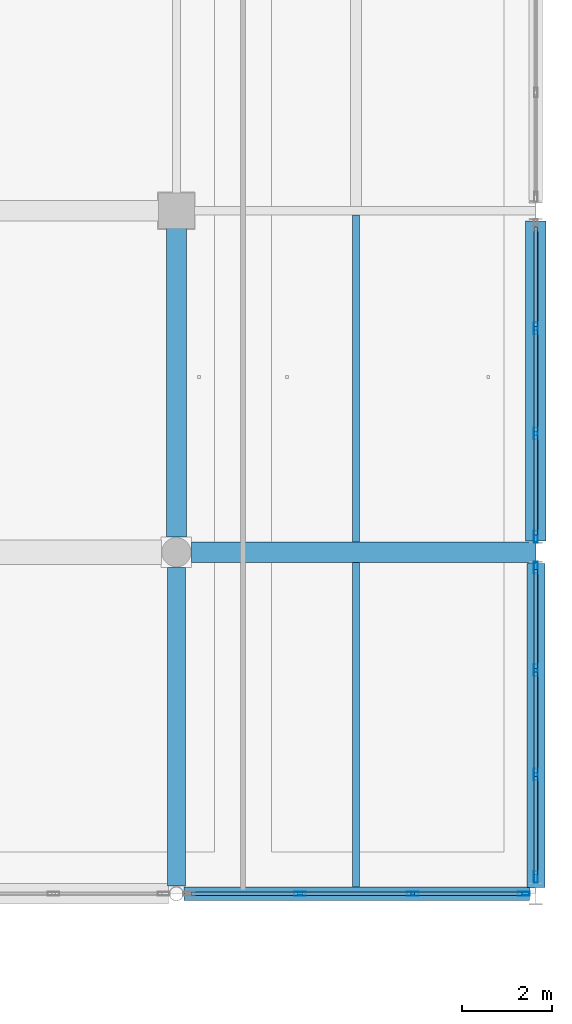
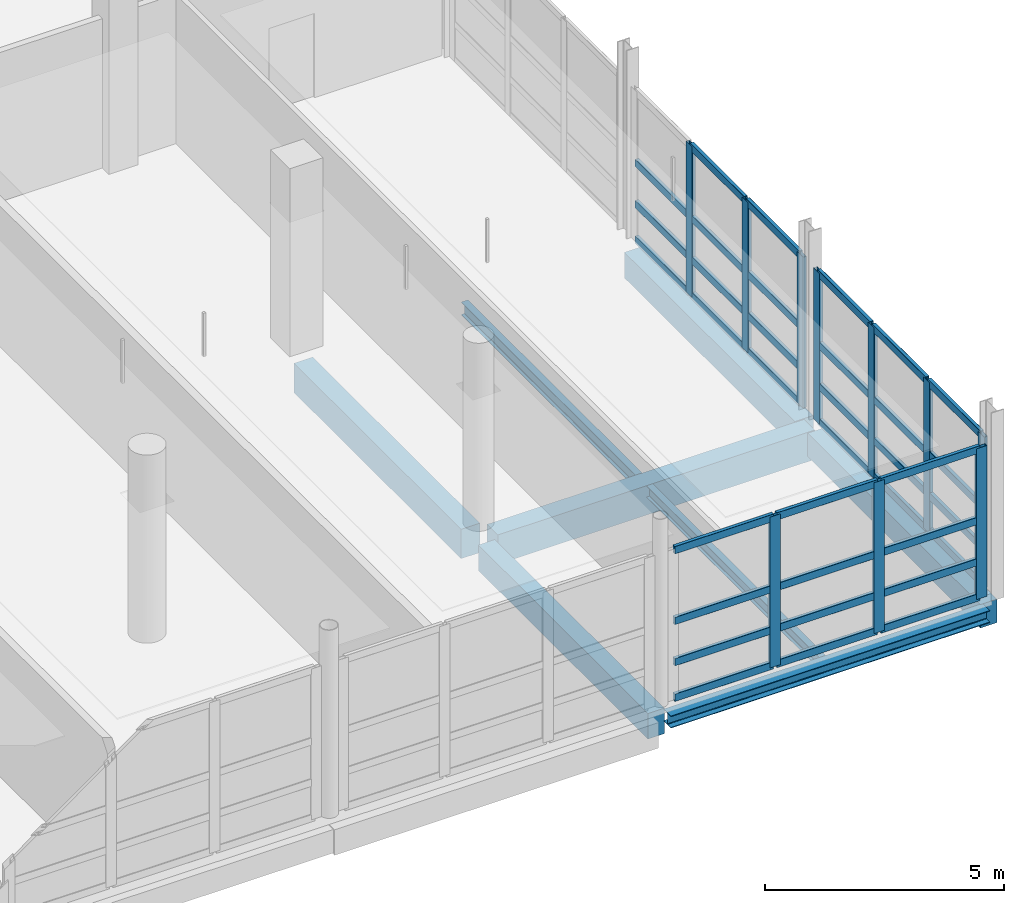
# One storey, part 46 of 147: 45 members, 8 beams, 3 elements without a shape of their own.
"""IFC4 building model written with IfcOpenShell, lengths in metres."""

from ifc_helpers import new_model, si_unit, direction, frame, origin, origin_2d, place, context, subcontext, project, spatial, rectangle, hollow_rectangle, i_section, extrude, material, material_profile, profile_set, type_object, element, aggregate, save


model = new_model("IFC4")

# Units and contexts
model_context = context("Model", 3, precision=1e-05, world=origin(), true_north=direction((0.0, 1.0)))
body_context = subcontext(model_context, "Body", "Model", "MODEL_VIEW")
ifc_project = project(units=[si_unit("LENGTHUNIT", "METRE"), si_unit("AREAUNIT", "SQUARE_METRE"), si_unit("VOLUMEUNIT", "CUBIC_METRE"), si_unit("PLANEANGLEUNIT", "RADIAN"), si_unit("MASSUNIT", "GRAM", prefix="KILO")], contexts=[model_context])

# Site, building, storey
site_placement = place(None, origin())
site = spatial("IfcSite", under=ifc_project, at=site_placement, CompositionType="ELEMENT")
building_placement = place(site_placement, origin())
building = spatial("IfcBuilding", under=site, at=building_placement, Name="Khelvaren Railside Concert Hall", CompositionType="ELEMENT")
storey_placement = place(building_placement, frame((0.0, 0.0, 5.39990234375)))
storey = spatial("IfcBuildingStorey", under=building, at=storey_placement, Name="L01", CompositionType="ELEMENT", Elevation=5.39990234375)

# Beams
ifc_material_1 = material(Name="Concrete C40/50", Category="concrete")
ifc_material_profile_1 = material_profile(ifc_material_1, rectangle(XDim=0.39990234375, YDim=0.64990234375, at=origin_2d()), Name="RCB 400x650")
ifc_profile_set_1 = profile_set([ifc_material_profile_1], Name="Concrete C40/50")
beam_type_1 = type_object("IfcBeamType", Name="BM33", PredefinedType="BEAM", material=ifc_profile_set_1)
beam_1_placement = place(storey_placement, frame((176.0, 0.170654296875, -0.625), z_axis=(0.0, 1.0, 0.0), x_axis=(-1.0, 0.0, 0.0)))
element("IfcBeam", 1, at=beam_1_placement, inside=storey, type_object=beam_type_1, Name="V2 L01 Beam Y5.1", PredefinedType="BEAM", context=body_context, shape_type="SweptSolid", body=[
    extrude(rectangle(XDim=0.39990234375, YDim=0.64990234375, at=origin_2d()), origin(), (0.0, 0.0, 1.0), 7.09326171875),
])
ifc_material_profile_2 = material_profile(ifc_material_1, rectangle(XDim=0.449951171875, YDim=0.75, at=origin_2d()), Name="RCB 450x750")
ifc_profile_set_2 = profile_set([ifc_material_profile_2], Name="Concrete C40/50")
beam_type_2 = type_object("IfcBeamType", Name="BM83", PredefinedType="BEAM", material=ifc_profile_set_2)
beam_2_placement = place(storey_placement, frame((176.3359375, 7.60009765625, -0.6748046875), z_axis=(1.0, 0.0, 0.0), x_axis=(0.0, 1.0, 0.0)))
element("IfcBeam", 2, at=beam_2_placement, inside=storey, type_object=beam_type_2, Name="V2 L01 Beam X2.5", PredefinedType="BEAM", context=body_context, shape_type="SweptSolid", body=[
    extrude(rectangle(XDim=0.449951171875, YDim=0.75, at=origin_2d()), origin(), (0.0, 0.0, 1.0), 7.654052734375),
])
beam_3_placement = place(storey_placement, frame((176.0, 7.93603515625, -0.6748046875), z_axis=(0.0, 1.0, 0.0), x_axis=(-1.0, 0.0, 0.0)))
element("IfcBeam", 3, at=beam_3_placement, inside=storey, type_object=beam_type_2, Name="V2 L01 Beam Y5.2", PredefinedType="BEAM", context=body_context, shape_type="SweptSolid", body=[
    extrude(rectangle(XDim=0.449951171875, YDim=0.75, at=origin_2d()), origin(), (0.0, 0.0, 1.0), 6.990966796875),
])

# Curtain wall, members
ifc_material_2 = material(Name="Acoustic laminated crystal facade glass", Category="glass")
curtain_wall_type_1 = type_object("IfcCurtainWallType", Name="CW15", PredefinedType="USERDEFINED", material=ifc_material_2)
curtain_wall_1_placement = place(storey_placement, origin())
curtain_wall_1 = element("IfcCurtainWall", 4, at=curtain_wall_1_placement, inside=storey, type_object=curtain_wall_type_1, Name="Unitised Curtain Wall CW-V2-L01-S-176", ObjectType="UNITISED CURTAIN WALL", PredefinedType="USERDEFINED")
ifc_material_3 = material(Name="Anodised architectural aluminium 6063-T6", Category="aluminium")
ifc_material_profile_3 = material_profile(ifc_material_3, hollow_rectangle(XDim=0.0849609375, YDim=0.260009765625, WallThickness=0.0048828125, InnerFilletRadius=0.0029296875, OuterFilletRadius=0.0048828125, at=origin_2d()), Name="CWM 85x260x5")
ifc_profile_set_3 = profile_set([ifc_material_profile_3], Name="Anodised architectural aluminium 6063-T6")
member_type_1 = type_object("IfcMemberType", Name="CWM40", PredefinedType="MULLION", material=ifc_profile_set_3)
member_1_placement = place(storey_placement, frame((183.72998046875, 0.0, 0.0), z_axis=(0.0, 0.0, 1.0), x_axis=(0.0, -1.0, 0.0)))
member_1 = element("IfcMember", 5, at=member_1_placement, type_object=member_type_1, Name="CW15 mullion 1", PredefinedType="MULLION", context=body_context, shape_type="SweptSolid", body=[
    extrude(hollow_rectangle(XDim=0.0849609375, YDim=0.260009765625, WallThickness=0.0048828125, InnerFilletRadius=0.0029296875, OuterFilletRadius=0.0048828125, at=origin_2d()), origin(), (0.0, 0.0, 1.0), 3.85009765625),
])
member_2_placement = place(storey_placement, frame((181.261474609375, 0.0, 0.0), z_axis=(0.0, 0.0, 1.0), x_axis=(0.0, -1.0, 0.0)))
member_2 = element("IfcMember", 6, at=member_2_placement, type_object=member_type_1, Name="CW15 mullion 2", PredefinedType="MULLION", context=body_context, shape_type="SweptSolid", body=[
    extrude(hollow_rectangle(XDim=0.0849609375, YDim=0.260009765625, WallThickness=0.0048828125, InnerFilletRadius=0.0029296875, OuterFilletRadius=0.0048828125, at=origin_2d()), origin(), (0.0, 0.0, 1.0), 3.85009765625),
])
member_3_placement = place(storey_placement, frame((178.75048828125, 0.0, 0.0), z_axis=(0.0, 0.0, 1.0), x_axis=(0.0, -1.0, 0.0)))
member_3 = element("IfcMember", 7, at=member_3_placement, type_object=member_type_1, Name="CW15 mullion 3", PredefinedType="MULLION", context=body_context, shape_type="SweptSolid", body=[
    extrude(hollow_rectangle(XDim=0.0849609375, YDim=0.260009765625, WallThickness=0.0048828125, InnerFilletRadius=0.0029296875, OuterFilletRadius=0.0048828125, at=origin_2d()), origin(), (0.0, 0.0, 1.0), 3.85009765625),
])

curtain_wall_2_placement = place(storey_placement, origin())
curtain_wall_2 = element("IfcCurtainWall", 8, at=curtain_wall_2_placement, inside=storey, type_object=curtain_wall_type_1, Name="Unitised Curtain Wall CW-V2-L01-E-0", ObjectType="UNITISED CURTAIN WALL", PredefinedType="USERDEFINED")
member_4_placement = place(storey_placement, frame((184.0, 7.2548828125, 0.0), z_axis=(0.0, 0.0, 1.0), x_axis=(1.0, 0.0, 0.0)))
member_4 = element("IfcMember", 9, at=member_4_placement, type_object=member_type_1, Name="CW15 mullion 1", PredefinedType="MULLION", context=body_context, shape_type="SweptSolid", body=[
    extrude(hollow_rectangle(XDim=0.0849609375, YDim=0.260009765625, WallThickness=0.0048828125, InnerFilletRadius=0.0029296875, OuterFilletRadius=0.0048828125, at=origin_2d()), origin(), (0.0, 0.0, 1.0), 3.85009765625),
])
member_5_placement = place(storey_placement, frame((184.0, 4.97412109375, 0.0), z_axis=(0.0, 0.0, 1.0), x_axis=(1.0, 0.0, 0.0)))
member_5 = element("IfcMember", 10, at=member_5_placement, type_object=member_type_1, Name="CW15 mullion 2", PredefinedType="MULLION", context=body_context, shape_type="SweptSolid", body=[
    extrude(hollow_rectangle(XDim=0.0849609375, YDim=0.260009765625, WallThickness=0.0048828125, InnerFilletRadius=0.0029296875, OuterFilletRadius=0.0048828125, at=origin_2d()), origin(), (0.0, 0.0, 1.0), 3.85009765625),
])
member_6_placement = place(storey_placement, frame((184.0, 2.65087890625, 0.0), z_axis=(0.0, 0.0, 1.0), x_axis=(1.0, 0.0, 0.0)))
member_6 = element("IfcMember", 11, at=member_6_placement, type_object=member_type_1, Name="CW15 mullion 3", PredefinedType="MULLION", context=body_context, shape_type="SweptSolid", body=[
    extrude(hollow_rectangle(XDim=0.0849609375, YDim=0.260009765625, WallThickness=0.0048828125, InnerFilletRadius=0.0029296875, OuterFilletRadius=0.0048828125, at=origin_2d()), origin(), (0.0, 0.0, 1.0), 3.85009765625),
])
member_7_placement = place(storey_placement, frame((184.0, 0.3701171875, 0.0), z_axis=(0.0, 0.0, 1.0), x_axis=(1.0, 0.0, 0.0)))
member_7 = element("IfcMember", 12, at=member_7_placement, type_object=member_type_1, Name="CW15 mullion 4", PredefinedType="MULLION", context=body_context, shape_type="SweptSolid", body=[
    extrude(hollow_rectangle(XDim=0.0849609375, YDim=0.260009765625, WallThickness=0.0048828125, InnerFilletRadius=0.0029296875, OuterFilletRadius=0.0048828125, at=origin_2d()), origin(), (0.0, 0.0, 1.0), 3.85009765625),
])

curtain_wall_type_2 = type_object("IfcCurtainWallType", Name="CW54", PredefinedType="USERDEFINED", material=ifc_material_2)
curtain_wall_3_placement = place(storey_placement, origin())
curtain_wall_3 = element("IfcCurtainWall", 13, at=curtain_wall_3_placement, inside=storey, type_object=curtain_wall_type_2, Name="Unitised Curtain Wall CW-V2-L01-E-8", ObjectType="UNITISED CURTAIN WALL", PredefinedType="USERDEFINED")
member_8_placement = place(storey_placement, frame((184.0, 12.58251953125, 0.0), z_axis=(0.0, 0.0, 1.0), x_axis=(1.0, 0.0, 0.0)))
member_8 = element("IfcMember", 14, at=member_8_placement, type_object=member_type_1, Name="CW54 mullion 2", PredefinedType="MULLION", context=body_context, shape_type="SweptSolid", body=[
    extrude(hollow_rectangle(XDim=0.0849609375, YDim=0.260009765625, WallThickness=0.0048828125, InnerFilletRadius=0.0029296875, OuterFilletRadius=0.0048828125, at=origin_2d()), origin(), (0.0, 0.0, 1.0), 3.85009765625),
])
member_9_placement = place(storey_placement, frame((184.0, 10.242431640625, 0.0), z_axis=(0.0, 0.0, 1.0), x_axis=(1.0, 0.0, 0.0)))
member_9 = element("IfcMember", 15, at=member_9_placement, type_object=member_type_1, Name="CW54 mullion 3", PredefinedType="MULLION", context=body_context, shape_type="SweptSolid", body=[
    extrude(hollow_rectangle(XDim=0.0849609375, YDim=0.260009765625, WallThickness=0.0048828125, InnerFilletRadius=0.0029296875, OuterFilletRadius=0.0048828125, at=origin_2d()), origin(), (0.0, 0.0, 1.0), 3.85009765625),
])
member_10_placement = place(storey_placement, frame((184.0, 7.945068359375, 0.0), z_axis=(0.0, 0.0, 1.0), x_axis=(1.0, 0.0, 0.0)))
member_10 = element("IfcMember", 16, at=member_10_placement, type_object=member_type_1, Name="CW54 mullion 4", PredefinedType="MULLION", context=body_context, shape_type="SweptSolid", body=[
    extrude(hollow_rectangle(XDim=0.0849609375, YDim=0.260009765625, WallThickness=0.0048828125, InnerFilletRadius=0.0029296875, OuterFilletRadius=0.0048828125, at=origin_2d()), origin(), (0.0, 0.0, 1.0), 3.85009765625),
])

# Member
ifc_material_profile_4 = material_profile(ifc_material_3, hollow_rectangle(XDim=0.0849609375, YDim=0.18994140625, WallThickness=0.0048828125, InnerFilletRadius=0.0029296875, OuterFilletRadius=0.0048828125, at=origin_2d()), Name="CWT 85x190x5")
ifc_profile_set_4 = profile_set([ifc_material_profile_4], Name="Anodised architectural aluminium 6063-T6")
member_type_2 = type_object("IfcMemberType", Name="CWT31", PredefinedType="USERDEFINED", material=ifc_profile_set_4)
member_11_placement = place(storey_placement, frame((183.6875, 0.0, 0.04248046875), z_axis=(-1.0, 0.0, 0.0), x_axis=(0.0, -1.0, 0.0)))
member_11 = element("IfcMember", 17, at=member_11_placement, type_object=member_type_2, Name="CW15 transom 1.1", ObjectType="TRANSOM", PredefinedType="USERDEFINED", context=body_context, shape_type="SweptSolid", body=[
    extrude(hollow_rectangle(XDim=0.0849609375, YDim=0.18994140625, WallThickness=0.0048828125, InnerFilletRadius=0.0029296875, OuterFilletRadius=0.0048828125, at=origin_2d()), origin(), (0.0, 0.0, 1.0), 2.383544921875),
])

member_12_placement = place(storey_placement, frame((183.6875, 0.0, 0.9501953125), z_axis=(-1.0, 0.0, 0.0), x_axis=(0.0, -1.0, 0.0)))
member_12 = element("IfcMember", 18, at=member_12_placement, type_object=member_type_2, Name="CW15 transom 1.2", ObjectType="TRANSOM", PredefinedType="USERDEFINED", context=body_context, shape_type="SweptSolid", body=[
    extrude(hollow_rectangle(XDim=0.0849609375, YDim=0.18994140625, WallThickness=0.0048828125, InnerFilletRadius=0.0029296875, OuterFilletRadius=0.0048828125, at=origin_2d()), origin(), (0.0, 0.0, 1.0), 2.383544921875),
])

member_13_placement = place(storey_placement, frame((183.6875, 0.0, 2.002197265625), z_axis=(-1.0, 0.0, 0.0), x_axis=(0.0, -1.0, 0.0)))
member_13 = element("IfcMember", 19, at=member_13_placement, type_object=member_type_2, Name="CW15 transom 1.3", ObjectType="TRANSOM", PredefinedType="USERDEFINED", context=body_context, shape_type="SweptSolid", body=[
    extrude(hollow_rectangle(XDim=0.0849609375, YDim=0.18994140625, WallThickness=0.0048828125, InnerFilletRadius=0.0029296875, OuterFilletRadius=0.0048828125, at=origin_2d()), origin(), (0.0, 0.0, 1.0), 2.383544921875),
])

member_14_placement = place(storey_placement, frame((183.6875, 0.0, 3.8076171875), z_axis=(-1.0, 0.0, 0.0), x_axis=(0.0, -1.0, 0.0)))
member_14 = element("IfcMember", 20, at=member_14_placement, type_object=member_type_2, Name="CW15 transom 1.4", ObjectType="TRANSOM", PredefinedType="USERDEFINED", context=body_context, shape_type="SweptSolid", body=[
    extrude(hollow_rectangle(XDim=0.0849609375, YDim=0.18994140625, WallThickness=0.0048828125, InnerFilletRadius=0.0029296875, OuterFilletRadius=0.0048828125, at=origin_2d()), origin(), (0.0, 0.0, 1.0), 2.383544921875),
])

member_15_placement = place(storey_placement, frame((181.218994140625, 0.0, 0.04248046875), z_axis=(-1.0, 0.0, 0.0), x_axis=(0.0, -1.0, 0.0)))
member_15 = element("IfcMember", 21, at=member_15_placement, type_object=member_type_2, Name="CW15 transom 2.1", ObjectType="TRANSOM", PredefinedType="USERDEFINED", context=body_context, shape_type="SweptSolid", body=[
    extrude(hollow_rectangle(XDim=0.0849609375, YDim=0.18994140625, WallThickness=0.0048828125, InnerFilletRadius=0.0029296875, OuterFilletRadius=0.0048828125, at=origin_2d()), origin(), (0.0, 0.0, 1.0), 2.426025390625),
])

member_16_placement = place(storey_placement, frame((181.218994140625, 0.0, 0.9501953125), z_axis=(-1.0, 0.0, 0.0), x_axis=(0.0, -1.0, 0.0)))
member_16 = element("IfcMember", 22, at=member_16_placement, type_object=member_type_2, Name="CW15 transom 2.2", ObjectType="TRANSOM", PredefinedType="USERDEFINED", context=body_context, shape_type="SweptSolid", body=[
    extrude(hollow_rectangle(XDim=0.0849609375, YDim=0.18994140625, WallThickness=0.0048828125, InnerFilletRadius=0.0029296875, OuterFilletRadius=0.0048828125, at=origin_2d()), origin(), (0.0, 0.0, 1.0), 2.426025390625),
])

member_17_placement = place(storey_placement, frame((181.218994140625, 0.0, 2.002197265625), z_axis=(-1.0, 0.0, 0.0), x_axis=(0.0, -1.0, 0.0)))
member_17 = element("IfcMember", 23, at=member_17_placement, type_object=member_type_2, Name="CW15 transom 2.3", ObjectType="TRANSOM", PredefinedType="USERDEFINED", context=body_context, shape_type="SweptSolid", body=[
    extrude(hollow_rectangle(XDim=0.0849609375, YDim=0.18994140625, WallThickness=0.0048828125, InnerFilletRadius=0.0029296875, OuterFilletRadius=0.0048828125, at=origin_2d()), origin(), (0.0, 0.0, 1.0), 2.426025390625),
])

member_18_placement = place(storey_placement, frame((181.218994140625, 0.0, 3.8076171875), z_axis=(-1.0, 0.0, 0.0), x_axis=(0.0, -1.0, 0.0)))
member_18 = element("IfcMember", 24, at=member_18_placement, type_object=member_type_2, Name="CW15 transom 2.4", ObjectType="TRANSOM", PredefinedType="USERDEFINED", context=body_context, shape_type="SweptSolid", body=[
    extrude(hollow_rectangle(XDim=0.0849609375, YDim=0.18994140625, WallThickness=0.0048828125, InnerFilletRadius=0.0029296875, OuterFilletRadius=0.0048828125, at=origin_2d()), origin(), (0.0, 0.0, 1.0), 2.426025390625),
])

member_19_placement = place(storey_placement, frame((178.7080078125, 0.0, 0.04248046875), z_axis=(-1.0, 0.0, 0.0), x_axis=(0.0, -1.0, 0.0)))
member_19 = element("IfcMember", 25, at=member_19_placement, type_object=member_type_2, Name="CW15 transom 3.1", ObjectType="TRANSOM", PredefinedType="USERDEFINED", context=body_context, shape_type="SweptSolid", body=[
    extrude(hollow_rectangle(XDim=0.0849609375, YDim=0.18994140625, WallThickness=0.0048828125, InnerFilletRadius=0.0029296875, OuterFilletRadius=0.0048828125, at=origin_2d()), origin(), (0.0, 0.0, 1.0), 2.383544921875),
])

member_20_placement = place(storey_placement, frame((178.7080078125, 0.0, 0.9501953125), z_axis=(-1.0, 0.0, 0.0), x_axis=(0.0, -1.0, 0.0)))
member_20 = element("IfcMember", 26, at=member_20_placement, type_object=member_type_2, Name="CW15 transom 3.2", ObjectType="TRANSOM", PredefinedType="USERDEFINED", context=body_context, shape_type="SweptSolid", body=[
    extrude(hollow_rectangle(XDim=0.0849609375, YDim=0.18994140625, WallThickness=0.0048828125, InnerFilletRadius=0.0029296875, OuterFilletRadius=0.0048828125, at=origin_2d()), origin(), (0.0, 0.0, 1.0), 2.383544921875),
])

member_21_placement = place(storey_placement, frame((178.7080078125, 0.0, 2.002197265625), z_axis=(-1.0, 0.0, 0.0), x_axis=(0.0, -1.0, 0.0)))
member_21 = element("IfcMember", 27, at=member_21_placement, type_object=member_type_2, Name="CW15 transom 3.3", ObjectType="TRANSOM", PredefinedType="USERDEFINED", context=body_context, shape_type="SweptSolid", body=[
    extrude(hollow_rectangle(XDim=0.0849609375, YDim=0.18994140625, WallThickness=0.0048828125, InnerFilletRadius=0.0029296875, OuterFilletRadius=0.0048828125, at=origin_2d()), origin(), (0.0, 0.0, 1.0), 2.383544921875),
])

member_22_placement = place(storey_placement, frame((178.7080078125, 0.0, 3.8076171875), z_axis=(-1.0, 0.0, 0.0), x_axis=(0.0, -1.0, 0.0)))
member_22 = element("IfcMember", 28, at=member_22_placement, type_object=member_type_2, Name="CW15 transom 3.4", ObjectType="TRANSOM", PredefinedType="USERDEFINED", context=body_context, shape_type="SweptSolid", body=[
    extrude(hollow_rectangle(XDim=0.0849609375, YDim=0.18994140625, WallThickness=0.0048828125, InnerFilletRadius=0.0029296875, OuterFilletRadius=0.0048828125, at=origin_2d()), origin(), (0.0, 0.0, 1.0), 2.383544921875),
])

aggregate(curtain_wall_1, [member_1, member_2, member_3, member_11, member_12, member_13, member_14, member_15, member_16, member_17, member_18, member_19, member_20, member_21, member_22])

member_23_placement = place(storey_placement, frame((184.0, 7.21240234375, 0.04248046875), z_axis=(0.0, -1.0, 0.0), x_axis=(1.0, 0.0, 0.0)))
member_23 = element("IfcMember", 29, at=member_23_placement, type_object=member_type_2, Name="CW15 transom 1.1", ObjectType="TRANSOM", PredefinedType="USERDEFINED", context=body_context, shape_type="SweptSolid", body=[
    extrude(hollow_rectangle(XDim=0.0849609375, YDim=0.18994140625, WallThickness=0.0048828125, InnerFilletRadius=0.0029296875, OuterFilletRadius=0.0048828125, at=origin_2d()), origin(), (0.0, 0.0, 1.0), 2.19580078125),
])

member_24_placement = place(storey_placement, frame((184.0, 7.21240234375, 0.9501953125), z_axis=(0.0, -1.0, 0.0), x_axis=(1.0, 0.0, 0.0)))
member_24 = element("IfcMember", 30, at=member_24_placement, type_object=member_type_2, Name="CW15 transom 1.2", ObjectType="TRANSOM", PredefinedType="USERDEFINED", context=body_context, shape_type="SweptSolid", body=[
    extrude(hollow_rectangle(XDim=0.0849609375, YDim=0.18994140625, WallThickness=0.0048828125, InnerFilletRadius=0.0029296875, OuterFilletRadius=0.0048828125, at=origin_2d()), origin(), (0.0, 0.0, 1.0), 2.19580078125),
])

member_25_placement = place(storey_placement, frame((184.0, 7.21240234375, 2.002197265625), z_axis=(0.0, -1.0, 0.0), x_axis=(1.0, 0.0, 0.0)))
member_25 = element("IfcMember", 31, at=member_25_placement, type_object=member_type_2, Name="CW15 transom 1.3", ObjectType="TRANSOM", PredefinedType="USERDEFINED", context=body_context, shape_type="SweptSolid", body=[
    extrude(hollow_rectangle(XDim=0.0849609375, YDim=0.18994140625, WallThickness=0.0048828125, InnerFilletRadius=0.0029296875, OuterFilletRadius=0.0048828125, at=origin_2d()), origin(), (0.0, 0.0, 1.0), 2.19580078125),
])

member_26_placement = place(storey_placement, frame((184.0, 7.21240234375, 3.8076171875), z_axis=(0.0, -1.0, 0.0), x_axis=(1.0, 0.0, 0.0)))
member_26 = element("IfcMember", 32, at=member_26_placement, type_object=member_type_2, Name="CW15 transom 1.4", ObjectType="TRANSOM", PredefinedType="USERDEFINED", context=body_context, shape_type="SweptSolid", body=[
    extrude(hollow_rectangle(XDim=0.0849609375, YDim=0.18994140625, WallThickness=0.0048828125, InnerFilletRadius=0.0029296875, OuterFilletRadius=0.0048828125, at=origin_2d()), origin(), (0.0, 0.0, 1.0), 2.19580078125),
])

member_27_placement = place(storey_placement, frame((184.0, 4.931640625, 0.04248046875), z_axis=(0.0, -1.0, 0.0), x_axis=(1.0, 0.0, 0.0)))
member_27 = element("IfcMember", 33, at=member_27_placement, type_object=member_type_2, Name="CW15 transom 2.1", ObjectType="TRANSOM", PredefinedType="USERDEFINED", context=body_context, shape_type="SweptSolid", body=[
    extrude(hollow_rectangle(XDim=0.0849609375, YDim=0.18994140625, WallThickness=0.0048828125, InnerFilletRadius=0.0029296875, OuterFilletRadius=0.0048828125, at=origin_2d()), origin(), (0.0, 0.0, 1.0), 2.23828125),
])

member_28_placement = place(storey_placement, frame((184.0, 4.931640625, 0.9501953125), z_axis=(0.0, -1.0, 0.0), x_axis=(1.0, 0.0, 0.0)))
member_28 = element("IfcMember", 34, at=member_28_placement, type_object=member_type_2, Name="CW15 transom 2.2", ObjectType="TRANSOM", PredefinedType="USERDEFINED", context=body_context, shape_type="SweptSolid", body=[
    extrude(hollow_rectangle(XDim=0.0849609375, YDim=0.18994140625, WallThickness=0.0048828125, InnerFilletRadius=0.0029296875, OuterFilletRadius=0.0048828125, at=origin_2d()), origin(), (0.0, 0.0, 1.0), 2.23828125),
])

member_29_placement = place(storey_placement, frame((184.0, 4.931640625, 2.002197265625), z_axis=(0.0, -1.0, 0.0), x_axis=(1.0, 0.0, 0.0)))
member_29 = element("IfcMember", 35, at=member_29_placement, type_object=member_type_2, Name="CW15 transom 2.3", ObjectType="TRANSOM", PredefinedType="USERDEFINED", context=body_context, shape_type="SweptSolid", body=[
    extrude(hollow_rectangle(XDim=0.0849609375, YDim=0.18994140625, WallThickness=0.0048828125, InnerFilletRadius=0.0029296875, OuterFilletRadius=0.0048828125, at=origin_2d()), origin(), (0.0, 0.0, 1.0), 2.23828125),
])

member_30_placement = place(storey_placement, frame((184.0, 4.931640625, 3.8076171875), z_axis=(0.0, -1.0, 0.0), x_axis=(1.0, 0.0, 0.0)))
member_30 = element("IfcMember", 36, at=member_30_placement, type_object=member_type_2, Name="CW15 transom 2.4", ObjectType="TRANSOM", PredefinedType="USERDEFINED", context=body_context, shape_type="SweptSolid", body=[
    extrude(hollow_rectangle(XDim=0.0849609375, YDim=0.18994140625, WallThickness=0.0048828125, InnerFilletRadius=0.0029296875, OuterFilletRadius=0.0048828125, at=origin_2d()), origin(), (0.0, 0.0, 1.0), 2.23828125),
])

member_31_placement = place(storey_placement, frame((184.0, 2.6083984375, 0.04248046875), z_axis=(0.0, -1.0, 0.0), x_axis=(1.0, 0.0, 0.0)))
member_31 = element("IfcMember", 37, at=member_31_placement, type_object=member_type_2, Name="CW15 transom 3.1", ObjectType="TRANSOM", PredefinedType="USERDEFINED", context=body_context, shape_type="SweptSolid", body=[
    extrude(hollow_rectangle(XDim=0.0849609375, YDim=0.18994140625, WallThickness=0.0048828125, InnerFilletRadius=0.0029296875, OuterFilletRadius=0.0048828125, at=origin_2d()), origin(), (0.0, 0.0, 1.0), 2.19580078125),
])

member_32_placement = place(storey_placement, frame((184.0, 2.6083984375, 0.9501953125), z_axis=(0.0, -1.0, 0.0), x_axis=(1.0, 0.0, 0.0)))
member_32 = element("IfcMember", 38, at=member_32_placement, type_object=member_type_2, Name="CW15 transom 3.2", ObjectType="TRANSOM", PredefinedType="USERDEFINED", context=body_context, shape_type="SweptSolid", body=[
    extrude(hollow_rectangle(XDim=0.0849609375, YDim=0.18994140625, WallThickness=0.0048828125, InnerFilletRadius=0.0029296875, OuterFilletRadius=0.0048828125, at=origin_2d()), origin(), (0.0, 0.0, 1.0), 2.19580078125),
])

member_33_placement = place(storey_placement, frame((184.0, 2.6083984375, 2.002197265625), z_axis=(0.0, -1.0, 0.0), x_axis=(1.0, 0.0, 0.0)))
member_33 = element("IfcMember", 39, at=member_33_placement, type_object=member_type_2, Name="CW15 transom 3.3", ObjectType="TRANSOM", PredefinedType="USERDEFINED", context=body_context, shape_type="SweptSolid", body=[
    extrude(hollow_rectangle(XDim=0.0849609375, YDim=0.18994140625, WallThickness=0.0048828125, InnerFilletRadius=0.0029296875, OuterFilletRadius=0.0048828125, at=origin_2d()), origin(), (0.0, 0.0, 1.0), 2.19580078125),
])

member_34_placement = place(storey_placement, frame((184.0, 2.6083984375, 3.8076171875), z_axis=(0.0, -1.0, 0.0), x_axis=(1.0, 0.0, 0.0)))
member_34 = element("IfcMember", 40, at=member_34_placement, type_object=member_type_2, Name="CW15 transom 3.4", ObjectType="TRANSOM", PredefinedType="USERDEFINED", context=body_context, shape_type="SweptSolid", body=[
    extrude(hollow_rectangle(XDim=0.0849609375, YDim=0.18994140625, WallThickness=0.0048828125, InnerFilletRadius=0.0029296875, OuterFilletRadius=0.0048828125, at=origin_2d()), origin(), (0.0, 0.0, 1.0), 2.19580078125),
])

aggregate(curtain_wall_2, [member_4, member_5, member_6, member_7, member_23, member_24, member_25, member_26, member_27, member_28, member_29, member_30, member_31, member_32, member_33, member_34])

member_35_placement = place(storey_placement, frame((184.0, 14.83740234375, 0.04248046875), z_axis=(0.0, -1.0, 0.0), x_axis=(1.0, 0.0, 0.0)))
member_35 = element("IfcMember", 41, at=member_35_placement, type_object=member_type_2, Name="CW54 transom 1.1", ObjectType="TRANSOM", PredefinedType="USERDEFINED", context=body_context, shape_type="SweptSolid", body=[
    extrude(hollow_rectangle(XDim=0.0849609375, YDim=0.18994140625, WallThickness=0.0048828125, InnerFilletRadius=0.0029296875, OuterFilletRadius=0.0048828125, at=origin_2d()), origin(), (0.0, 0.0, 1.0), 2.21240234375),
])

member_36_placement = place(storey_placement, frame((184.0, 14.83740234375, 0.9501953125), z_axis=(0.0, -1.0, 0.0), x_axis=(1.0, 0.0, 0.0)))
member_36 = element("IfcMember", 42, at=member_36_placement, type_object=member_type_2, Name="CW54 transom 1.2", ObjectType="TRANSOM", PredefinedType="USERDEFINED", context=body_context, shape_type="SweptSolid", body=[
    extrude(hollow_rectangle(XDim=0.0849609375, YDim=0.18994140625, WallThickness=0.0048828125, InnerFilletRadius=0.0029296875, OuterFilletRadius=0.0048828125, at=origin_2d()), origin(), (0.0, 0.0, 1.0), 2.21240234375),
])

member_37_placement = place(storey_placement, frame((184.0, 14.83740234375, 2.002197265625), z_axis=(0.0, -1.0, 0.0), x_axis=(1.0, 0.0, 0.0)))
member_37 = element("IfcMember", 43, at=member_37_placement, type_object=member_type_2, Name="CW54 transom 1.3", ObjectType="TRANSOM", PredefinedType="USERDEFINED", context=body_context, shape_type="SweptSolid", body=[
    extrude(hollow_rectangle(XDim=0.0849609375, YDim=0.18994140625, WallThickness=0.0048828125, InnerFilletRadius=0.0029296875, OuterFilletRadius=0.0048828125, at=origin_2d()), origin(), (0.0, 0.0, 1.0), 2.21240234375),
])

member_38_placement = place(storey_placement, frame((184.0, 12.5400390625, 0.04248046875), z_axis=(0.0, -1.0, 0.0), x_axis=(1.0, 0.0, 0.0)))
member_38 = element("IfcMember", 44, at=member_38_placement, type_object=member_type_2, Name="CW54 transom 2.1", ObjectType="TRANSOM", PredefinedType="USERDEFINED", context=body_context, shape_type="SweptSolid", body=[
    extrude(hollow_rectangle(XDim=0.0849609375, YDim=0.18994140625, WallThickness=0.0048828125, InnerFilletRadius=0.0029296875, OuterFilletRadius=0.0048828125, at=origin_2d()), origin(), (0.0, 0.0, 1.0), 2.255126953125),
])

member_39_placement = place(storey_placement, frame((184.0, 12.5400390625, 0.9501953125), z_axis=(0.0, -1.0, 0.0), x_axis=(1.0, 0.0, 0.0)))
member_39 = element("IfcMember", 45, at=member_39_placement, type_object=member_type_2, Name="CW54 transom 2.2", ObjectType="TRANSOM", PredefinedType="USERDEFINED", context=body_context, shape_type="SweptSolid", body=[
    extrude(hollow_rectangle(XDim=0.0849609375, YDim=0.18994140625, WallThickness=0.0048828125, InnerFilletRadius=0.0029296875, OuterFilletRadius=0.0048828125, at=origin_2d()), origin(), (0.0, 0.0, 1.0), 2.255126953125),
])

member_40_placement = place(storey_placement, frame((184.0, 12.5400390625, 2.002197265625), z_axis=(0.0, -1.0, 0.0), x_axis=(1.0, 0.0, 0.0)))
member_40 = element("IfcMember", 46, at=member_40_placement, type_object=member_type_2, Name="CW54 transom 2.3", ObjectType="TRANSOM", PredefinedType="USERDEFINED", context=body_context, shape_type="SweptSolid", body=[
    extrude(hollow_rectangle(XDim=0.0849609375, YDim=0.18994140625, WallThickness=0.0048828125, InnerFilletRadius=0.0029296875, OuterFilletRadius=0.0048828125, at=origin_2d()), origin(), (0.0, 0.0, 1.0), 2.255126953125),
])

member_41_placement = place(storey_placement, frame((184.0, 12.5400390625, 3.8076171875), z_axis=(0.0, -1.0, 0.0), x_axis=(1.0, 0.0, 0.0)))
member_41 = element("IfcMember", 47, at=member_41_placement, type_object=member_type_2, Name="CW54 transom 2.4", ObjectType="TRANSOM", PredefinedType="USERDEFINED", context=body_context, shape_type="SweptSolid", body=[
    extrude(hollow_rectangle(XDim=0.0849609375, YDim=0.18994140625, WallThickness=0.0048828125, InnerFilletRadius=0.0029296875, OuterFilletRadius=0.0048828125, at=origin_2d()), origin(), (0.0, 0.0, 1.0), 2.255126953125),
])

member_42_placement = place(storey_placement, frame((184.0, 10.199951171875, 0.04248046875), z_axis=(0.0, -1.0, 0.0), x_axis=(1.0, 0.0, 0.0)))
member_42 = element("IfcMember", 48, at=member_42_placement, type_object=member_type_2, Name="CW54 transom 3.1", ObjectType="TRANSOM", PredefinedType="USERDEFINED", context=body_context, shape_type="SweptSolid", body=[
    extrude(hollow_rectangle(XDim=0.0849609375, YDim=0.18994140625, WallThickness=0.0048828125, InnerFilletRadius=0.0029296875, OuterFilletRadius=0.0048828125, at=origin_2d()), origin(), (0.0, 0.0, 1.0), 2.21240234375),
])

member_43_placement = place(storey_placement, frame((184.0, 10.199951171875, 0.9501953125), z_axis=(0.0, -1.0, 0.0), x_axis=(1.0, 0.0, 0.0)))
member_43 = element("IfcMember", 49, at=member_43_placement, type_object=member_type_2, Name="CW54 transom 3.2", ObjectType="TRANSOM", PredefinedType="USERDEFINED", context=body_context, shape_type="SweptSolid", body=[
    extrude(hollow_rectangle(XDim=0.0849609375, YDim=0.18994140625, WallThickness=0.0048828125, InnerFilletRadius=0.0029296875, OuterFilletRadius=0.0048828125, at=origin_2d()), origin(), (0.0, 0.0, 1.0), 2.21240234375),
])

member_44_placement = place(storey_placement, frame((184.0, 10.199951171875, 2.002197265625), z_axis=(0.0, -1.0, 0.0), x_axis=(1.0, 0.0, 0.0)))
member_44 = element("IfcMember", 50, at=member_44_placement, type_object=member_type_2, Name="CW54 transom 3.3", ObjectType="TRANSOM", PredefinedType="USERDEFINED", context=body_context, shape_type="SweptSolid", body=[
    extrude(hollow_rectangle(XDim=0.0849609375, YDim=0.18994140625, WallThickness=0.0048828125, InnerFilletRadius=0.0029296875, OuterFilletRadius=0.0048828125, at=origin_2d()), origin(), (0.0, 0.0, 1.0), 2.21240234375),
])

member_45_placement = place(storey_placement, frame((184.0, 10.199951171875, 3.8076171875), z_axis=(0.0, -1.0, 0.0), x_axis=(1.0, 0.0, 0.0)))
member_45 = element("IfcMember", 51, at=member_45_placement, type_object=member_type_2, Name="CW54 transom 3.4", ObjectType="TRANSOM", PredefinedType="USERDEFINED", context=body_context, shape_type="SweptSolid", body=[
    extrude(hollow_rectangle(XDim=0.0849609375, YDim=0.18994140625, WallThickness=0.0048828125, InnerFilletRadius=0.0029296875, OuterFilletRadius=0.0048828125, at=origin_2d()), origin(), (0.0, 0.0, 1.0), 2.21240234375),
])

aggregate(curtain_wall_3, [member_8, member_9, member_10, member_35, member_36, member_37, member_38, member_39, member_40, member_41, member_42, member_43, member_44, member_45])

# Beams
ifc_material_4 = material(Name="Steel S355", Category="steel")
ifc_material_profile_5 = material_profile(ifc_material_4, i_section(OverallWidth=0.14990234375, OverallDepth=0.300048828125, WebThickness=0.007080078125, FlangeThickness=0.0107421875, FilletRadius=0.014892578125, at=origin_2d()), Name="IPE 300")
ifc_profile_set_5 = profile_set([ifc_material_profile_5], Name="Steel S355")
beam_type_3 = type_object("IfcBeamType", Name="JS26", PredefinedType="JOIST", material=ifc_profile_set_5)
beam_4_placement = place(storey_placement, frame((180.0, 0.14990234375, -0.449951171875), z_axis=(0.0, 1.0, 0.0), x_axis=(-1.0, 0.0, 0.0)))
element("IfcBeam", 52, at=beam_4_placement, inside=storey, type_object=beam_type_3, Name="V2 L01 Secondary Joist 5.1", PredefinedType="JOIST", context=body_context, shape_type="SweptSolid", body=[
    extrude(i_section(OverallWidth=0.14990234375, OverallDepth=0.300048828125, WebThickness=0.007080078125, FlangeThickness=0.0107421875, FilletRadius=0.014892578125, at=origin_2d()), origin(), (0.0, 0.0, 1.0), 7.22509765625),
])
ifc_material_profile_6 = material_profile(ifc_material_4, i_section(OverallWidth=0.159912109375, OverallDepth=0.330078125, WebThickness=0.007568359375, FlangeThickness=0.011474609375, FilletRadius=0.01806640625, at=origin_2d()), Name="IPE 330")
ifc_profile_set_6 = profile_set([ifc_material_profile_6], Name="Steel S355")
beam_type_4 = type_object("IfcBeamType", Name="JS65", PredefinedType="JOIST", material=ifc_profile_set_6)
beam_5_placement = place(storey_placement, frame((180.0, 7.824951171875, -0.46484375), z_axis=(0.0, 1.0, 0.0), x_axis=(-1.0, 0.0, 0.0)))
element("IfcBeam", 53, at=beam_5_placement, inside=storey, type_object=beam_type_4, Name="V2 L01 Secondary Joist 5.2", PredefinedType="JOIST", context=body_context, shape_type="SweptSolid", body=[
    extrude(i_section(OverallWidth=0.159912109375, OverallDepth=0.330078125, WebThickness=0.007568359375, FlangeThickness=0.011474609375, FilletRadius=0.01806640625, at=origin_2d()), origin(), (0.0, 0.0, 1.0), 7.28515625),
])
ifc_material_profile_7 = material_profile(ifc_material_1, rectangle(XDim=0.449951171875, YDim=0.64990234375, at=origin_2d()), Name="RCB 450x650")
ifc_profile_set_7 = profile_set([ifc_material_profile_7], Name="Concrete C40/50")
beam_type_5 = type_object("IfcBeamType", Name="SP34", PredefinedType="SPANDREL", material=ifc_profile_set_7)
beam_6_placement = place(storey_placement, frame((184.0, 7.85009765625, -0.625), z_axis=(0.0, 1.0, 0.0), x_axis=(-1.0, 0.0, 0.0)))
element("IfcBeam", 54, at=beam_6_placement, inside=storey, type_object=beam_type_5, Name="V2 L01 Spandrel Y6.2", PredefinedType="SPANDREL", context=body_context, shape_type="SweptSolid", body=[
    extrude(rectangle(XDim=0.449951171875, YDim=0.64990234375, at=origin_2d()), origin(), (0.0, 0.0, 1.0), 7.125),
])
ifc_material_profile_8 = material_profile(ifc_material_4, i_section(OverallWidth=0.300048828125, OverallDepth=0.31005859375, WebThickness=0.009033203125, FlangeThickness=0.015380859375, FilletRadius=0.027099609375, at=origin_2d()), Name="HEA 320")
ifc_profile_set_8 = profile_set([ifc_material_profile_8], Name="Steel S355")
beam_type_6 = type_object("IfcBeamType", Name="SP66", PredefinedType="SPANDREL", material=ifc_profile_set_8)
beam_7_placement = place(storey_placement, frame((176.170654296875, 0.0, -0.454833984375), z_axis=(1.0, 0.0, 0.0), x_axis=(0.0, 1.0, 0.0)))
element("IfcBeam", 55, at=beam_7_placement, inside=storey, type_object=beam_type_6, Name="V2 L01 Spandrel X1.5", PredefinedType="SPANDREL", context=body_context, shape_type="SweptSolid", body=[
    extrude(i_section(OverallWidth=0.300048828125, OverallDepth=0.31005859375, WebThickness=0.009033203125, FlangeThickness=0.015380859375, FilletRadius=0.027099609375, at=origin_2d()), origin(), (0.0, 0.0, 1.0), 7.693359375),
])
ifc_material_profile_9 = material_profile(ifc_material_1, rectangle(XDim=0.39990234375, YDim=0.60009765625, at=origin_2d()), Name="RCB 400x600")
ifc_profile_set_9 = profile_set([ifc_material_profile_9], Name="Concrete C40/50")
beam_type_7 = type_object("IfcBeamType", Name="SP75", PredefinedType="SPANDREL", material=ifc_profile_set_9)
beam_8_placement = place(storey_placement, frame((184.0, 0.135986328125, -0.599853515625), z_axis=(0.0, 1.0, 0.0), x_axis=(-1.0, 0.0, 0.0)))
element("IfcBeam", 56, at=beam_8_placement, inside=storey, type_object=beam_type_7, Name="V2 L01 Spandrel Y6.1", PredefinedType="SPANDREL", context=body_context, shape_type="SweptSolid", body=[
    extrude(rectangle(XDim=0.39990234375, YDim=0.60009765625, at=origin_2d()), origin(), (0.0, 0.0, 1.0), 7.214111328125),
])

save(model, "model.ifc")
